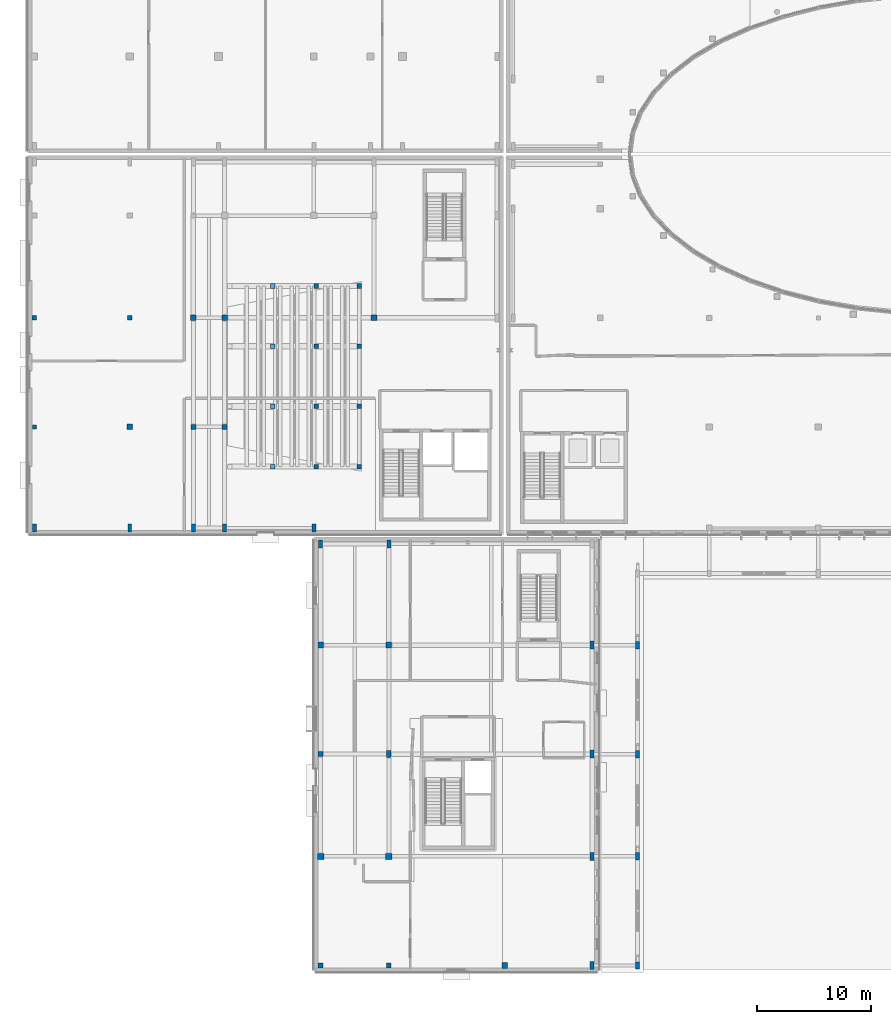
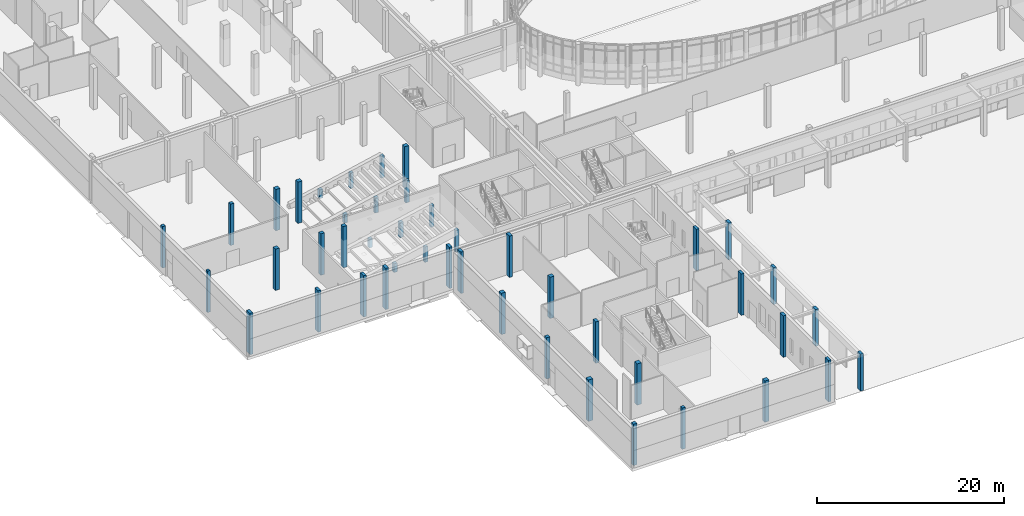
# One storey, part 1 of 84: 45 columns.
"""IFC4 building model written with IfcOpenShell, lengths in metres."""

from ifc_helpers import new_model, si_unit, direction, frame, origin, origin_2d, place, context, subcontext, project, spatial, rectangle, extrude, material, material_profile, profile_set, type_object, element, save


model = new_model("IFC4")

# Units and contexts
model_context = context("Model", 3, precision=1e-05, world=origin(), true_north=direction((0.0, 1.0)))
body_context = subcontext(model_context, "Body", "Model", "MODEL_VIEW")
ifc_project = project(units=[si_unit("LENGTHUNIT", "METRE"), si_unit("AREAUNIT", "SQUARE_METRE"), si_unit("VOLUMEUNIT", "CUBIC_METRE"), si_unit("PLANEANGLEUNIT", "RADIAN"), si_unit("MASSUNIT", "GRAM", prefix="KILO")], contexts=[model_context])

# Site, building, storey
site_placement = place(None, origin())
site = spatial("IfcSite", under=ifc_project, at=site_placement, CompositionType="ELEMENT")
building_placement = place(site_placement, origin())
building = spatial("IfcBuilding", under=site, at=building_placement, Name="Mzevani Central Library", CompositionType="ELEMENT")
storey_placement = place(building_placement, origin())
storey = spatial("IfcBuildingStorey", under=building, at=storey_placement, Name="L00", CompositionType="ELEMENT", Elevation=0.0)

# Columns
ifc_material_1 = material(Name="Precast concrete C40/50", Category="concrete")
ifc_material_profile_1 = material_profile(ifc_material_1, rectangle(XDim=0.35009765625, YDim=0.64990234375, at=origin_2d()), Name="PC PIL 350x650")
ifc_profile_set_1 = profile_set([ifc_material_profile_1], Name="Precast concrete C40/50")
column_type_1 = type_object("IfcColumnType", Name="Colonnade Pilaster 350x650", PredefinedType="PILASTER", material=ifc_profile_set_1)
for number, where, z_axis, x_axis, name in (
    (1, (57.699951171875, 4.60009765625, 0.0), (0.0, 0.0, 1.0), (1.0, 0.0, 0.0), "L00 Mzevani Square Colonnade Pier 01"),
    (2, (57.699951171875, 14.199951171875, 0.0), (0.0, 0.0, 1.0), (1.0, 0.0, 0.0), "L00 Mzevani Square Colonnade Pier 02"),
    (3, (57.699951171875, 23.199951171875, 0.0), (0.0, 0.0, 1.0), (1.0, 0.0, 0.0), "L00 Mzevani Square Colonnade Pier 03"),
    (4, (57.699951171875, 32.800048828125, 0.0), (0.0, 0.0, 1.0), (1.0, 0.0, 0.0), "L00 Mzevani Square Colonnade Pier 04"),
):
    element("IfcColumn", number, at=place(storey_placement, frame(where, z_axis=z_axis, x_axis=x_axis)), inside=storey, type_object=column_type_1, Name=name, PredefinedType="PILASTER", context=body_context, shape_type="SweptSolid", body=[
        extrude(rectangle(XDim=0.35009765625, YDim=0.64990234375, at=origin_2d()), origin(), (0.0, 0.0, 1.0), 4.800048828125),
    ])
ifc_material_2 = material(Name="Concrete C40/50", Category="concrete")
ifc_material_profile_2 = material_profile(ifc_material_2, rectangle(XDim=0.35009765625, YDim=0.35009765625, at=origin_2d()), Name="RC 350x350")
ifc_profile_set_2 = profile_set([ifc_material_profile_2], Name="Concrete C40/50")
column_type_2 = type_object("IfcColumnType", Name="Column RC 350x350", PredefinedType="COLUMN", material=ifc_profile_set_2)
column_1_placement = place(storey_placement, frame((4.60009765625, 52.0, 0.0), z_axis=(0.0, 0.0, 1.0), x_axis=(1.0, 0.0, 0.0)))
element("IfcColumn", 5, at=column_1_placement, inside=storey, type_object=column_type_2, Name="L00 V5 Column C-01 (183)", PredefinedType="COLUMN", context=body_context, shape_type="SweptSolid", body=[
    extrude(rectangle(XDim=0.35009765625, YDim=0.35009765625, at=origin_2d()), origin(), (0.0, 0.0, 1.0), 5.39990234375),
])
ifc_material_profile_3 = material_profile(ifc_material_2, rectangle(XDim=0.39990234375, YDim=0.39990234375, at=origin_2d()), Name="RC 400x400")
ifc_profile_set_3 = profile_set([ifc_material_profile_3], Name="Concrete C40/50")
column_type_3 = type_object("IfcColumnType", Name="Column RC 400x400", PredefinedType="COLUMN", material=ifc_profile_set_3)
for number, where, z_axis, x_axis, name in (
    (6, (35.800048828125, 4.60009765625, 0.0), (0.0, 0.0, 1.0), (1.0, 0.0, 0.0), "L00 V4 Column C-02 (171)"),
    (7, (4.60009765625, 61.60009765625, 0.0), (0.0, 0.0, 1.0), (1.0, 0.0, 0.0), "L00 V5 Column C-02 (184)"),
    (8, (13.0, 61.60009765625, 0.0), (0.0, 0.0, 1.0), (1.0, 0.0, 0.0), "L00 V5 Column C-02 (189)"),
):
    element("IfcColumn", number, at=place(storey_placement, frame(where, z_axis=z_axis, x_axis=x_axis)), inside=storey, type_object=column_type_3, Name=name, PredefinedType="COLUMN", context=body_context, shape_type="SweptSolid", body=[
        extrude(rectangle(XDim=0.39990234375, YDim=0.39990234375, at=origin_2d()), origin(), (0.0, 0.0, 1.0), 5.39990234375),
    ])
column_2_placement = place(storey_placement, frame((25.60009765625, 48.5, 0.0), z_axis=(0.0, 0.0, 1.0), x_axis=(1.0, 0.0, 0.0)))
element("IfcColumn", 9, at=column_2_placement, inside=storey, type_object=column_type_3, Name="L00 Auditorium Raker Pier 1.2", PredefinedType="COLUMN", context=body_context, shape_type="SweptSolid", body=[
    extrude(rectangle(XDim=0.39990234375, YDim=0.39990234375, at=origin_2d()), origin(), (0.0, 0.0, 1.0), 1.14990234375),
])
column_3_placement = place(storey_placement, frame((29.39990234375, 48.5, 0.0), z_axis=(0.0, 0.0, 1.0), x_axis=(1.0, 0.0, 0.0)))
element("IfcColumn", 10, at=column_3_placement, inside=storey, type_object=column_type_3, Name="L00 Auditorium Raker Pier 1.3", PredefinedType="COLUMN", context=body_context, shape_type="SweptSolid", body=[
    extrude(rectangle(XDim=0.39990234375, YDim=0.39990234375, at=origin_2d()), origin(), (0.0, 0.0, 1.0), 2.0),
])
column_4_placement = place(storey_placement, frame((33.199951171875, 48.5, 0.0), z_axis=(0.0, 0.0, 1.0), x_axis=(1.0, 0.0, 0.0)))
element("IfcColumn", 11, at=column_4_placement, inside=storey, type_object=column_type_3, Name="L00 Auditorium Raker Pier 1.4", PredefinedType="COLUMN", context=body_context, shape_type="SweptSolid", body=[
    extrude(rectangle(XDim=0.39990234375, YDim=0.39990234375, at=origin_2d()), origin(), (0.0, 0.0, 1.0), 2.85009765625),
])
column_5_placement = place(storey_placement, frame((25.60009765625, 53.800048828125, 0.0), z_axis=(0.0, 0.0, 1.0), x_axis=(1.0, 0.0, 0.0)))
element("IfcColumn", 12, at=column_5_placement, inside=storey, type_object=column_type_3, Name="L00 Auditorium Raker Pier 2.2", PredefinedType="COLUMN", context=body_context, shape_type="SweptSolid", body=[
    extrude(rectangle(XDim=0.39990234375, YDim=0.39990234375, at=origin_2d()), origin(), (0.0, 0.0, 1.0), 1.14990234375),
])
column_6_placement = place(storey_placement, frame((29.39990234375, 53.800048828125, 0.0), z_axis=(0.0, 0.0, 1.0), x_axis=(1.0, 0.0, 0.0)))
element("IfcColumn", 13, at=column_6_placement, inside=storey, type_object=column_type_3, Name="L00 Auditorium Raker Pier 2.3", PredefinedType="COLUMN", context=body_context, shape_type="SweptSolid", body=[
    extrude(rectangle(XDim=0.39990234375, YDim=0.39990234375, at=origin_2d()), origin(), (0.0, 0.0, 1.0), 2.0),
])
column_7_placement = place(storey_placement, frame((33.199951171875, 53.800048828125, 0.0), z_axis=(0.0, 0.0, 1.0), x_axis=(1.0, 0.0, 0.0)))
element("IfcColumn", 14, at=column_7_placement, inside=storey, type_object=column_type_3, Name="L00 Auditorium Raker Pier 2.4", PredefinedType="COLUMN", context=body_context, shape_type="SweptSolid", body=[
    extrude(rectangle(XDim=0.39990234375, YDim=0.39990234375, at=origin_2d()), origin(), (0.0, 0.0, 1.0), 2.85009765625),
])
column_8_placement = place(storey_placement, frame((25.60009765625, 59.10009765625, 0.0), z_axis=(0.0, 0.0, 1.0), x_axis=(1.0, 0.0, 0.0)))
element("IfcColumn", 15, at=column_8_placement, inside=storey, type_object=column_type_3, Name="L00 Auditorium Raker Pier 3.2", PredefinedType="COLUMN", context=body_context, shape_type="SweptSolid", body=[
    extrude(rectangle(XDim=0.39990234375, YDim=0.39990234375, at=origin_2d()), origin(), (0.0, 0.0, 1.0), 1.14990234375),
])
column_9_placement = place(storey_placement, frame((29.39990234375, 59.10009765625, 0.0), z_axis=(0.0, 0.0, 1.0), x_axis=(1.0, 0.0, 0.0)))
element("IfcColumn", 16, at=column_9_placement, inside=storey, type_object=column_type_3, Name="L00 Auditorium Raker Pier 3.3", PredefinedType="COLUMN", context=body_context, shape_type="SweptSolid", body=[
    extrude(rectangle(XDim=0.39990234375, YDim=0.39990234375, at=origin_2d()), origin(), (0.0, 0.0, 1.0), 2.0),
])
column_10_placement = place(storey_placement, frame((33.199951171875, 59.10009765625, 0.0), z_axis=(0.0, 0.0, 1.0), x_axis=(1.0, 0.0, 0.0)))
element("IfcColumn", 17, at=column_10_placement, inside=storey, type_object=column_type_3, Name="L00 Auditorium Raker Pier 3.4", PredefinedType="COLUMN", context=body_context, shape_type="SweptSolid", body=[
    extrude(rectangle(XDim=0.39990234375, YDim=0.39990234375, at=origin_2d()), origin(), (0.0, 0.0, 1.0), 2.85009765625),
])
column_11_placement = place(storey_placement, frame((25.60009765625, 64.39990234375, 0.0), z_axis=(0.0, 0.0, 1.0), x_axis=(1.0, 0.0, 0.0)))
element("IfcColumn", 18, at=column_11_placement, inside=storey, type_object=column_type_3, Name="L00 Auditorium Raker Pier 4.2", PredefinedType="COLUMN", context=body_context, shape_type="SweptSolid", body=[
    extrude(rectangle(XDim=0.39990234375, YDim=0.39990234375, at=origin_2d()), origin(), (0.0, 0.0, 1.0), 1.14990234375),
])
column_12_placement = place(storey_placement, frame((29.39990234375, 64.39990234375, 0.0), z_axis=(0.0, 0.0, 1.0), x_axis=(1.0, 0.0, 0.0)))
element("IfcColumn", 19, at=column_12_placement, inside=storey, type_object=column_type_3, Name="L00 Auditorium Raker Pier 4.3", PredefinedType="COLUMN", context=body_context, shape_type="SweptSolid", body=[
    extrude(rectangle(XDim=0.39990234375, YDim=0.39990234375, at=origin_2d()), origin(), (0.0, 0.0, 1.0), 2.0),
])
column_13_placement = place(storey_placement, frame((33.199951171875, 64.39990234375, 0.0), z_axis=(0.0, 0.0, 1.0), x_axis=(1.0, 0.0, 0.0)))
element("IfcColumn", 20, at=column_13_placement, inside=storey, type_object=column_type_3, Name="L00 Auditorium Raker Pier 4.4", PredefinedType="COLUMN", context=body_context, shape_type="SweptSolid", body=[
    extrude(rectangle(XDim=0.39990234375, YDim=0.39990234375, at=origin_2d()), origin(), (0.0, 0.0, 1.0), 2.85009765625),
])
ifc_material_profile_4 = material_profile(ifc_material_2, rectangle(XDim=0.39990234375, YDim=0.60009765625, at=origin_2d()), Name="RC 400x600")
ifc_profile_set_4 = profile_set([ifc_material_profile_4], Name="Concrete C40/50")
column_type_4 = type_object("IfcColumnType", Name="Column RC 400x600", PredefinedType="COLUMN", material=ifc_profile_set_4)
column_14_placement = place(storey_placement, frame((35.800048828125, 23.199951171875, 0.0), z_axis=(0.0, 0.0, 1.0), x_axis=(1.0, 0.0, 0.0)))
element("IfcColumn", 21, at=column_14_placement, inside=storey, type_object=column_type_4, Name="L00 V4 Column C-11 (173)", PredefinedType="COLUMN", context=body_context, shape_type="SweptSolid", body=[
    extrude(rectangle(XDim=0.39990234375, YDim=0.60009765625, at=origin_2d()), origin(), (0.0, 0.0, 1.0), 5.39990234375),
])
ifc_material_profile_5 = material_profile(ifc_material_2, rectangle(XDim=0.449951171875, YDim=0.449951171875, at=origin_2d()), Name="RC 450x450")
ifc_profile_set_5 = profile_set([ifc_material_profile_5], Name="Concrete C40/50")
column_type_5 = type_object("IfcColumnType", Name="Column RC 450x450", PredefinedType="COLUMN", material=ifc_profile_set_5)
for number, where, z_axis, x_axis, name in (
    (22, (29.800048828125, 4.60009765625, 0.0), (0.0, 0.0, 1.0), (1.0, 0.0, 0.0), "L00 V4 Column C-03 (166)"),
    (23, (29.800048828125, 23.199951171875, 0.0), (0.0, 0.0, 1.0), (1.0, 0.0, 0.0), "L00 V4 Column C-03 (168)"),
    (24, (18.60009765625, 52.0, 0.0), (0.0, 0.0, 1.0), (1.0, 0.0, 0.0), "L00 V5 Column C-03 (193)"),
    (25, (21.35009765625, 52.0, 0.0), (0.0, 0.0, 1.0), (1.0, 0.0, 0.0), "L00 V5 Column C-03 (198)"),
):
    element("IfcColumn", number, at=place(storey_placement, frame(where, z_axis=z_axis, x_axis=x_axis)), inside=storey, type_object=column_type_5, Name=name, PredefinedType="COLUMN", context=body_context, shape_type="SweptSolid", body=[
        extrude(rectangle(XDim=0.449951171875, YDim=0.449951171875, at=origin_2d()), origin(), (0.0, 0.0, 1.0), 5.39990234375),
    ])
ifc_material_profile_6 = material_profile(ifc_material_2, rectangle(XDim=0.5, YDim=0.5, at=origin_2d()), Name="RC 500x500")
ifc_profile_set_6 = profile_set([ifc_material_profile_6], Name="Concrete C40/50")
column_type_6 = type_object("IfcColumnType", Name="Column RC 500x500", PredefinedType="COLUMN", material=ifc_profile_set_6)
for number, where, z_axis, x_axis, name in (
    (26, (29.800048828125, 32.800048828125, 0.0), (0.0, 0.0, 1.0), (1.0, 0.0, 0.0), "L00 V4 Column C-04 (169)"),
    (27, (35.800048828125, 32.800048828125, 0.0), (0.0, 0.0, 1.0), (1.0, 0.0, 0.0), "L00 V4 Column C-04 (174)"),
    (28, (46.0, 4.60009765625, 0.0), (0.0, 0.0, 1.0), (1.0, 0.0, 0.0), "L00 V4 Column C-04 (176)"),
    (29, (13.0, 52.0, 0.0), (0.0, 0.0, 1.0), (1.0, 0.0, 0.0), "L00 V5 Column C-04 (188)"),
    (30, (18.60009765625, 61.60009765625, 0.0), (0.0, 0.0, 1.0), (1.0, 0.0, 0.0), "L00 V5 Column C-04 (194)"),
    (31, (21.35009765625, 61.60009765625, 0.0), (0.0, 0.0, 1.0), (1.0, 0.0, 0.0), "L00 V5 Column C-04 (199)"),
    (32, (34.5, 61.60009765625, 0.0), (0.0, 0.0, 1.0), (1.0, 0.0, 0.0), "L00 V5 Column C-04 (205)"),
):
    element("IfcColumn", number, at=place(storey_placement, frame(where, z_axis=z_axis, x_axis=x_axis)), inside=storey, type_object=column_type_6, Name=name, PredefinedType="COLUMN", context=body_context, shape_type="SweptSolid", body=[
        extrude(rectangle(XDim=0.5, YDim=0.5, at=origin_2d()), origin(), (0.0, 0.0, 1.0), 5.39990234375),
    ])
ifc_material_profile_7 = material_profile(ifc_material_2, rectangle(XDim=0.550048828125, YDim=0.550048828125, at=origin_2d()), Name="RC 550x550")
ifc_profile_set_7 = profile_set([ifc_material_profile_7], Name="Concrete C40/50")
column_type_7 = type_object("IfcColumnType", Name="Column RC 550x550", PredefinedType="COLUMN", material=ifc_profile_set_7)
for number, where, z_axis, x_axis, name in (
    (33, (29.800048828125, 14.199951171875, 0.0), (0.0, 0.0, 1.0), (1.0, 0.0, 0.0), "L00 V4 Column C-05 (167)"),
    (34, (35.800048828125, 14.199951171875, 0.0), (0.0, 0.0, 1.0), (1.0, 0.0, 0.0), "L00 V4 Column C-05 (172)"),
):
    element("IfcColumn", number, at=place(storey_placement, frame(where, z_axis=z_axis, x_axis=x_axis)), inside=storey, type_object=column_type_7, Name=name, PredefinedType="COLUMN", context=body_context, shape_type="SweptSolid", body=[
        extrude(rectangle(XDim=0.550048828125, YDim=0.550048828125, at=origin_2d()), origin(), (0.0, 0.0, 1.0), 5.39990234375),
    ])
ifc_material_profile_8 = material_profile(ifc_material_2, rectangle(XDim=0.35009765625, YDim=0.699951171875, at=origin_2d()), Name="RC 350x700")
ifc_profile_set_8 = profile_set([ifc_material_profile_8], Name="Concrete C40/50")
column_type_8 = type_object("IfcColumnType", Name="Joint Twin Column RC 350x700", PredefinedType="COLUMN", material=ifc_profile_set_8)
for number, where, z_axis, x_axis, name in (
    (35, (29.800048828125, 41.699951171875, 0.0), (0.0, 0.0, 1.0), (1.0, 0.0, 0.0), "L00 V4 Column C-18 (170)"),
    (36, (35.800048828125, 41.699951171875, 0.0), (0.0, 0.0, 1.0), (1.0, 0.0, 0.0), "L00 V4 Column C-18 (175)"),
    (37, (53.699951171875, 4.60009765625, 0.0), (0.0, 0.0, 1.0), (1.0, 0.0, 0.0), "L00 V4 Column C-18 (177)"),
    (38, (53.699951171875, 14.199951171875, 0.0), (0.0, 0.0, 1.0), (1.0, 0.0, 0.0), "L00 V4 Column C-18 (178)"),
    (39, (53.699951171875, 23.199951171875, 0.0), (0.0, 0.0, 1.0), (1.0, 0.0, 0.0), "L00 V4 Column C-18 (179)"),
    (40, (53.699951171875, 32.800048828125, 0.0), (0.0, 0.0, 1.0), (1.0, 0.0, 0.0), "L00 V4 Column C-18 (180)"),
    (41, (4.60009765625, 43.10009765625, 0.0), (0.0, 0.0, 1.0), (1.0, 0.0, 0.0), "L00 V5 Column C-18 (182)"),
    (42, (13.0, 43.10009765625, 0.0), (0.0, 0.0, 1.0), (1.0, 0.0, 0.0), "L00 V5 Column C-18 (187)"),
    (43, (18.60009765625, 43.10009765625, 0.0), (0.0, 0.0, 1.0), (1.0, 0.0, 0.0), "L00 V5 Column C-18 (192)"),
    (44, (21.35009765625, 43.10009765625, 0.0), (0.0, 0.0, 1.0), (1.0, 0.0, 0.0), "L00 V5 Column C-18 (197)"),
    (45, (29.199951171875, 43.10009765625, 0.0), (0.0, 0.0, 1.0), (1.0, 0.0, 0.0), "L00 V5 Column C-18 (202)"),
):
    element("IfcColumn", number, at=place(storey_placement, frame(where, z_axis=z_axis, x_axis=x_axis)), inside=storey, type_object=column_type_8, Name=name, PredefinedType="COLUMN", context=body_context, shape_type="SweptSolid", body=[
        extrude(rectangle(XDim=0.35009765625, YDim=0.699951171875, at=origin_2d()), origin(), (0.0, 0.0, 1.0), 5.39990234375),
    ])

save(model, "model.ifc")
